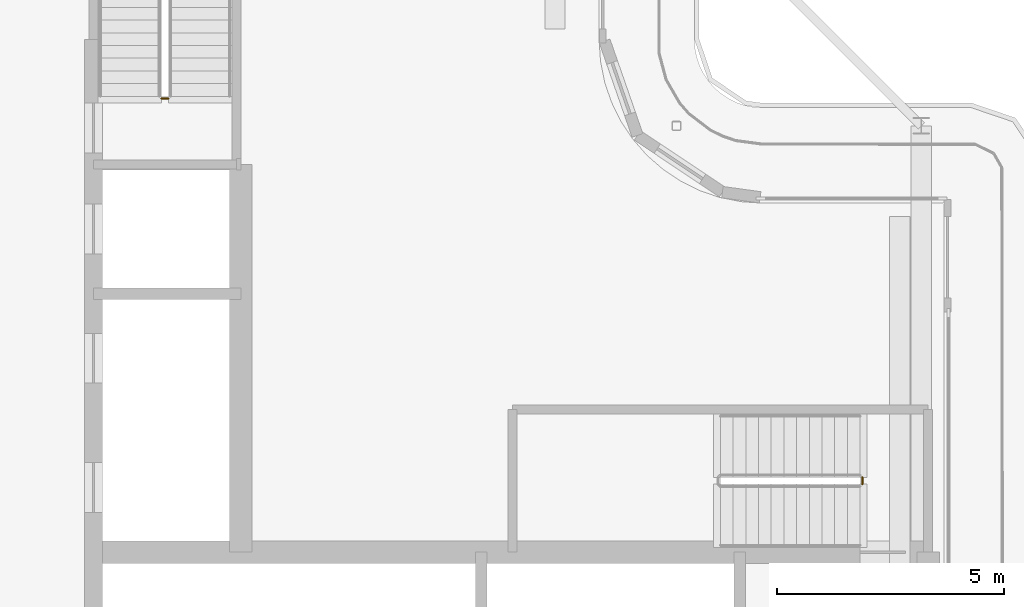
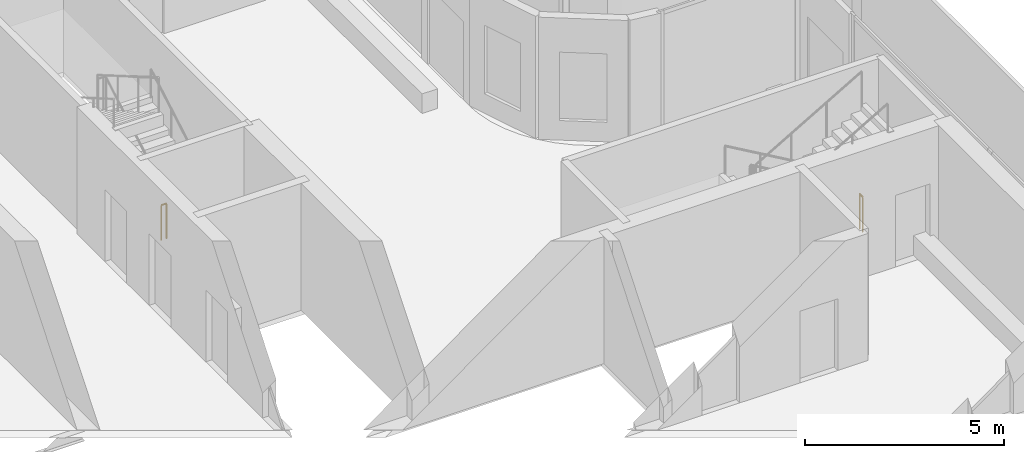
# One storey, part 14 of 18: 2 railings.
"""IFC4 building model written with IfcOpenShell, lengths in metres."""

from ifc_helpers import new_model, si_unit, direction, frame, origin, origin_2d, place, context, subcontext, project, spatial, circle, extrude, material, type_object, element, save


model = new_model("IFC4")

# Units and contexts
model_context = context("Model", 3, precision=1e-05, world=origin(), true_north=direction((0.0, 1.0)))
body_context = subcontext(model_context, "Body", "Model", "MODEL_VIEW")
ifc_project = project(units=[si_unit("LENGTHUNIT", "METRE"), si_unit("AREAUNIT", "SQUARE_METRE"), si_unit("VOLUMEUNIT", "CUBIC_METRE"), si_unit("PLANEANGLEUNIT", "RADIAN"), si_unit("MASSUNIT", "GRAM", prefix="KILO")], contexts=[model_context])

# Site, building, storey
site_placement = place(None, origin())
site = spatial("IfcSite", under=ifc_project, at=site_placement, CompositionType="ELEMENT")
building_placement = place(site_placement, origin())
building = spatial("IfcBuilding", under=site, at=building_placement, Name="Kheshtan School and Residences Tower", CompositionType="ELEMENT")
storey_placement = place(building_placement, frame((0.0, 0.0, 381.199951171875)))
storey = spatial("IfcBuildingStorey", under=building, at=storey_placement, Name="L90", CompositionType="ELEMENT", Elevation=381.199951171875)

# Railings
ifc_material = material(Name="Stainless steel balustrade", Category="steel")
railing_type = type_object("IfcRailingType", Name="Stair guard 1100", PredefinedType="GUARDRAIL", material=ifc_material)
railing_1_placement = place(storey_placement, frame((51.699951171875, 37.85009765625, 0.0)))
element("IfcRailing", 1, at=railing_1_placement, inside=storey, type_object=railing_type, Name="L90 ST1 stair guard 2", PredefinedType="GUARDRAIL", context=body_context, shape_type="SweptSolid", body=[
    extrude(circle(Radius=0.02392578125, at=origin_2d()), frame((0.0, 0.0, 1.076171875), z_axis=(0.0, -1.0, 0.0), x_axis=(1.0, 0.0, 0.0)), (0.0, 0.0, 1.0), 0.150146484375),
    extrude(circle(Radius=0.02099609375, at=origin_2d()), origin(), (0.0, 0.0, 1.0), 1.052001953125),
    extrude(circle(Radius=0.02099609375, at=origin_2d()), frame((0.0, -0.150146484375, 0.0)), (0.0, 0.0, 1.0), 1.052001953125),
])
railing_2_placement = place(storey_placement, frame((36.39990234375, 46.199951171875, 0.0)))
element("IfcRailing", 2, at=railing_2_placement, inside=storey, type_object=railing_type, Name="L90 ST2 stair guard 2", PredefinedType="GUARDRAIL", context=body_context, shape_type="SweptSolid", body=[
    extrude(circle(Radius=0.02392578125, at=origin_2d()), frame((0.0, 0.0, 1.076171875), z_axis=(-1.0, 0.0, 0.0), x_axis=(0.0, -1.0, 0.0)), (0.0, 0.0, 1.0), 0.14990234375),
    extrude(circle(Radius=0.02099609375, at=origin_2d()), origin(), (0.0, 0.0, 1.0), 1.052001953125),
    extrude(circle(Radius=0.02099609375, at=origin_2d()), frame((-0.14990234375, 0.0, 0.0)), (0.0, 0.0, 1.0), 1.052001953125),
])

save(model, "model.ifc")
